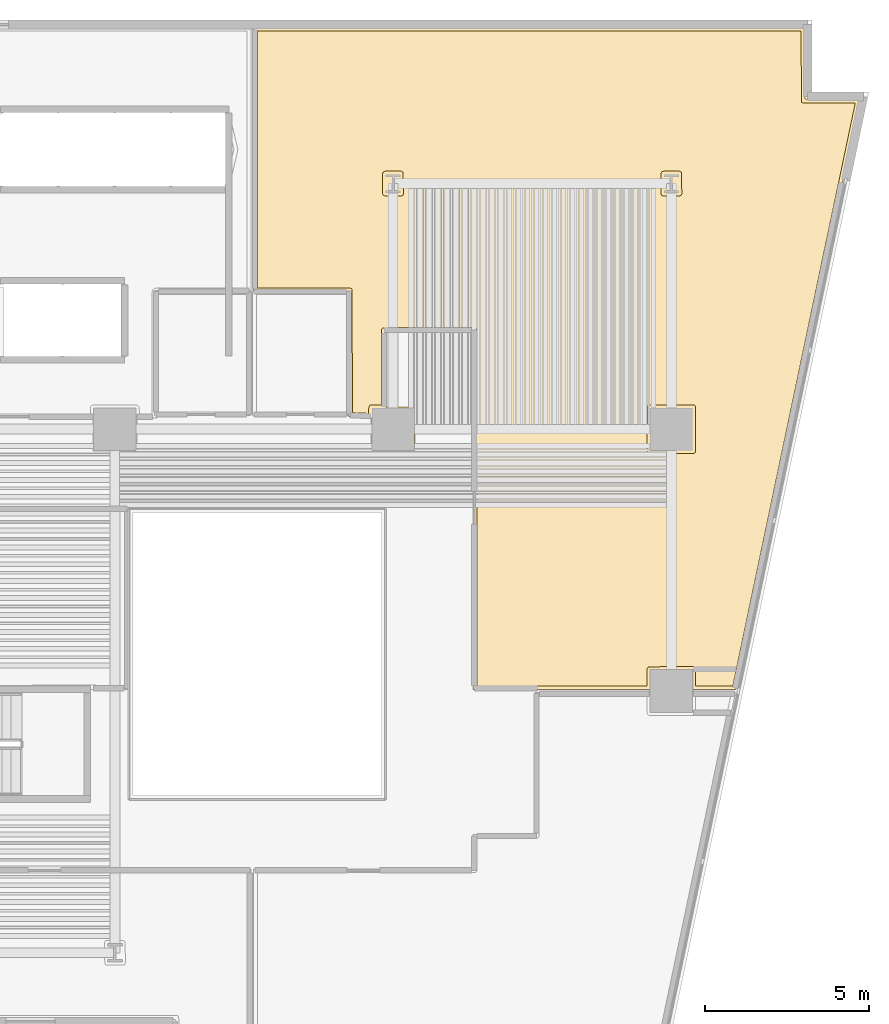
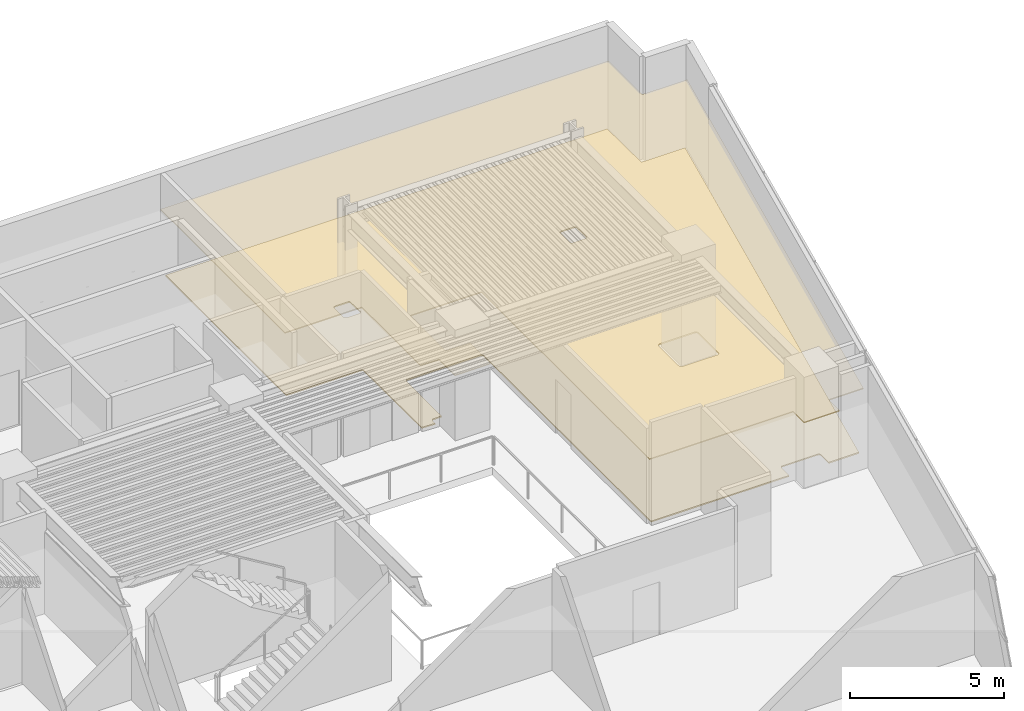
# One storey, part 11 of 11: 2 coverings.
"""IFC4 building model written with IfcOpenShell, lengths in metres."""

import ifcopenshell
import ifcopenshell.guid

model = None  # the IFC model being written
_history = None  # IfcOwnerHistory: only IFC2X3 demands one
_inside = {}  # id of a spatial element -> (the spatial element, [elements in it])
_under = {}  # id of a project, library or spatial element -> (it, [spatial elements below it])
_declared = {}  # id of a project -> (the project, [libraries it declares])
_typed = {}  # id of a type object -> (the type object, [elements of that type])
_made_of = {}  # id of a material, layer set ... -> (it, [elements and type objects made of it])


def new_model(schema):
    """Start an empty IFC model of exactly this schema.

    Asked for "IFC4X3", IfcOpenShell would pick the latest addendum, in which some entities
    have other attributes; the version numbers below select the first issue.
    IFC2X3 requires an IfcOwnerHistory on every rooted entity: one is made here for all.
    """
    global model, _history
    if schema == "IFC4X3":
        model = ifcopenshell.file(schema_version=(4, 3, 0, 0))
    else:
        model = ifcopenshell.file(schema=schema)
    _inside.clear()
    _under.clear()
    _declared.clear()
    _typed.clear()
    _made_of.clear()
    _history = None
    if model.schema == "IFC2X3":
        org = make("IfcOrganization", Name="unknown")
        user = make(
            "IfcPersonAndOrganization",
            ThePerson=make("IfcPerson", FamilyName="unknown"),
            TheOrganization=org,
        )
        app = make(
            "IfcApplication",
            ApplicationDeveloper=org,
            Version="unknown",
            ApplicationFullName="unknown",
            ApplicationIdentifier="unknown",
        )
        _history = make(
            "IfcOwnerHistory",
            OwningUser=user,
            OwningApplication=app,
            ChangeAction="ADDED",
            CreationDate=0,
        )
    return model


def make(cls, **values):
    """One entity of the class cls with the attributes given. An attribute that is None is left unset."""
    return model.create_entity(
        cls, **{name: value for name, value in values.items() if value is not None}
    )


def rooted(cls, **values):
    """An entity with a GlobalId (a new one), such as an element, a storey or a relation."""
    return make(cls, GlobalId=ifcopenshell.guid.new(), OwnerHistory=_history, **values)


def si_unit(unit_type, name, prefix=None):
    """IfcSIUnit, for example si_unit("LENGTHUNIT", "METRE", prefix="MILLI")."""
    return make("IfcSIUnit", UnitType=unit_type, Prefix=prefix, Name=name)


def assignment(units):
    """IfcUnitAssignment: the units of a project."""
    return None if units is None else make("IfcUnitAssignment", Units=units)


def point(xyz):
    """IfcCartesianPoint."""
    return None if xyz is None else make("IfcCartesianPoint", Coordinates=xyz)


def direction(xyz):
    """IfcDirection."""
    return None if xyz is None else make("IfcDirection", DirectionRatios=xyz)


def frame(location, z_axis=None, x_axis=None):
    """IfcAxis2Placement3D, a coordinate frame: its origin and axes. An axis left out is left unset."""
    return make(
        "IfcAxis2Placement3D",
        Location=point(location),
        Axis=direction(z_axis),
        RefDirection=direction(x_axis),
    )


def origin():
    """The frame at (0, 0, 0) with its axes left unset."""
    return frame((0.0, 0.0, 0.0))


def place(relative_to, where):
    """IfcLocalPlacement: puts the frame where relative to a parent placement (None: the world)."""
    return make(
        "IfcLocalPlacement", PlacementRelTo=relative_to, RelativePlacement=where
    )


def context(
    kind, dimensions, precision=None, world=None, true_north=None, identifier=None
):
    """IfcGeometricRepresentationContext, for example the 3D "Model" context."""
    return make(
        "IfcGeometricRepresentationContext",
        ContextIdentifier=identifier,
        ContextType=kind,
        CoordinateSpaceDimension=dimensions,
        Precision=precision,
        WorldCoordinateSystem=world,
        TrueNorth=true_north,
    )


def subcontext(parent, identifier, kind, view, scale=None):
    """IfcGeometricRepresentationSubContext, for example "Body" below "Model"."""
    return make(
        "IfcGeometricRepresentationSubContext",
        ContextIdentifier=identifier,
        ContextType=kind,
        ParentContext=parent,
        TargetScale=scale,
        TargetView=view,
    )


def project(units=None, contexts=None):
    """IfcProject with its units and contexts."""
    return rooted(
        "IfcProject",
        Name="project",
        RepresentationContexts=contexts,
        UnitsInContext=assignment(units),
    )


def spatial(cls, under=None, at=None, **own):
    """A site, building, storey or space (cls), placed at a placement, below another one or the project."""
    s = rooted(cls, ObjectPlacement=at, **own)
    if under is not None:
        _under.setdefault(under.id(), (under, []))[1].append(s)
    return s


def polyline(points):
    """IfcPolyline through the points."""
    return make("IfcPolyline", Points=[point(p) for p in points])


def outline(outer, holes=None, kind="AREA"):
    """IfcArbitraryClosedProfileDef: a profile drawn as a closed curve; with holes, ...WithVoids."""
    if holes is None:
        return make("IfcArbitraryClosedProfileDef", ProfileType=kind, OuterCurve=outer)
    return make(
        "IfcArbitraryProfileDefWithVoids",
        ProfileType=kind,
        OuterCurve=outer,
        InnerCurves=holes,
    )


def extrude(swept, where, along, depth):
    """IfcExtrudedAreaSolid: the profile swept, set in the frame where, extruded along a direction by depth."""
    return make(
        "IfcExtrudedAreaSolid",
        SweptArea=swept,
        Position=where,
        ExtrudedDirection=direction(along),
        Depth=depth,
    )


def shape(context_of_items, identifier, shape_type, items):
    """IfcShapeRepresentation: the items that make up one representation, for example the "Body"."""
    return make(
        "IfcShapeRepresentation",
        ContextOfItems=context_of_items,
        RepresentationIdentifier=identifier,
        RepresentationType=shape_type,
        Items=items,
    )


def material(Name=None, Category=None):
    """IfcMaterial."""
    return make("IfcMaterial", Name=Name, Category=Category)


def layer(
    of_material, thickness, ventilated=None, Name=None, Category=None, Priority=None
):
    """IfcMaterialLayer: one layer of a wall or slab, of a material (None: an air gap)."""
    return make(
        "IfcMaterialLayer",
        Material=of_material,
        LayerThickness=thickness,
        IsVentilated=ventilated,
        Name=Name,
        Category=Category,
        Priority=Priority,
    )


def layer_set(layers, Name=None):
    """IfcMaterialLayerSet."""
    return make("IfcMaterialLayerSet", MaterialLayers=layers, LayerSetName=Name)


def made_of(thing, what):
    """Note that an element or type object is made of a material, layer set ...; save() writes the relation."""
    if what is not None:
        _made_of.setdefault(what.id(), (what, []))[1].append(thing)
    return thing


def type_object(cls, material=None, **own):
    """A type object (cls), such as IfcWallType, which elements share."""
    return made_of(rooted(cls, **own), material)


def element(
    cls,
    number,
    at=None,
    inside=None,
    cuts=None,
    type_object=None,
    material=None,
    context=None,
    identifier="Body",
    shape_type=None,
    held_by="IfcProductDefinitionShape",
    body=None,
    shapes=None,
    **own,
):
    """One element of the class cls, such as IfcWall. Its Tag is "e" and its number.

    at: its placement. inside: the storey or other place that contains it. cuts: it is an
    opening in that element (IfcRelVoidsElement). A single representation is given by context,
    identifier, shape_type and body (its items); several are given by shapes. held_by: the class
    of the entity that holds the representations. save() writes the other relations.
    """
    e = rooted(cls, Tag="e%d" % number, ObjectPlacement=at, **own)
    if body is not None:
        shapes = [shape(context, identifier, shape_type, body)]
    if shapes is not None:
        e.Representation = make(held_by, Representations=shapes)
    if inside is not None:
        _inside.setdefault(inside.id(), (inside, []))[1].append(e)
    if cuts is not None:
        rooted(
            "IfcRelVoidsElement", RelatingBuildingElement=cuts, RelatedOpeningElement=e
        )
    if type_object is not None:
        _typed.setdefault(type_object.id(), (type_object, []))[1].append(e)
    return made_of(e, material)


def aggregate(whole, parts):
    """IfcRelAggregates: a whole, such as a stair, and the parts it consists of."""
    return rooted("IfcRelAggregates", RelatingObject=whole, RelatedObjects=parts)


def save(model, path):
    """Write the relations noted so far, then the file.

    IfcRelAggregates (storeys below a building ...), IfcRelContainedInSpatialStructure (elements
    in a storey), IfcRelDefinesByType, IfcRelAssociatesMaterial and IfcRelDeclares: one each for
    every whole, place, type object, material and project.
    """
    for whole, parts in _under.values():
        aggregate(whole, parts)
    for where, things in _inside.values():
        rooted(
            "IfcRelContainedInSpatialStructure",
            RelatedElements=things,
            RelatingStructure=where,
        )
    for kind, things in _typed.values():
        rooted("IfcRelDefinesByType", RelatedObjects=things, RelatingType=kind)
    for what, things in _made_of.values():
        rooted("IfcRelAssociatesMaterial", RelatedObjects=things, RelatingMaterial=what)
    for by, libraries in _declared.values():
        rooted("IfcRelDeclares", RelatingContext=by, RelatedDefinitions=libraries)
    model.write(path)


model = new_model("IFC4")

# Units and contexts
model_context = context("Model", 3, precision=1e-05, world=origin(), true_north=direction((0.0, 1.0)))
body_context = subcontext(model_context, "Body", "Model", "MODEL_VIEW")
ifc_project = project(units=[si_unit("LENGTHUNIT", "METRE"), si_unit("AREAUNIT", "SQUARE_METRE"), si_unit("VOLUMEUNIT", "CUBIC_METRE"), si_unit("PLANEANGLEUNIT", "RADIAN"), si_unit("MASSUNIT", "GRAM", prefix="KILO")], contexts=[model_context])

# Site, building, storey
site_placement = place(None, origin())
site = spatial("IfcSite", under=ifc_project, at=site_placement, CompositionType="ELEMENT")
building_placement = place(site_placement, origin())
building = spatial("IfcBuilding", under=site, at=building_placement, Name="Caeloran Harvest Quay", CompositionType="ELEMENT")
storey_placement = place(building_placement, frame((0.0, 0.0, 44.60009765625)))
storey = spatial("IfcBuildingStorey", under=building, at=storey_placement, Name="L10", CompositionType="ELEMENT", Elevation=44.60009765625)

# Coverings
ifc_material_1 = material(Name="Perforated Mineral-Fibre Acoustic Ceiling Tile", Category="ceiling")
ifc_layer_1 = layer(ifc_material_1, 0.0400390625, Name="Perforated Mineral-Fibre Acoustic Ceiling Tile")
ifc_layer_set_1 = layer_set([ifc_layer_1], Name="Perforated Mineral-Fibre Acoustic Ceiling Tile")
covering_type_1 = type_object("IfcCoveringType", Name="COV-CEILING-ACOUSTIC", PredefinedType="CEILING", material=ifc_layer_set_1)
covering_1_placement = place(storey_placement, frame((0.0, 0.0, 2.599853515625)))
element("IfcCovering", 1, at=covering_1_placement, inside=storey, type_object=covering_type_1, Name="Agronomy Break Kitchen Acoustic Ceiling", PredefinedType="CEILING", context=body_context, shape_type="SweptSolid", body=[
    extrude(outline(polyline([(50.330078125, 23.0400390625), (44.93994140625, 23.0400390625), (44.93994140625, 33.989990234375), (42.260009765625, 33.989990234375), (42.260009765625, 31.669921875), (43.169921875, 31.669921875), (43.169921875, 30.330078125), (41.830078125, 30.330078125), (41.830078125, 31.3583984375), (41.139892578125, 31.390625), (41.139892578125, 35.18994140625), (38.239990234375, 35.18994140625), (38.239990234375, 43.280029296875), (55.080078125, 43.280029296875), (55.080078125, 41.080078125), (56.766845703125, 41.080078125), (52.97705078125, 23.0400390625), (51.669921875, 23.0400390625), (51.669921875, 22.330078125), (50.330078125, 22.330078125), (50.330078125, 23.0400390625)])), origin(), (0.0, 0.0, 1.0), 0.0400390625),
])
ifc_material_2 = material(Name="Calcium-Sulphate Raised Access Floor and Terrazzo Finish", Category="flooring")
ifc_layer_2 = layer(ifc_material_2, 0.050048828125, Name="Calcium-Sulphate Raised Access Floor and Terrazzo Finish")
ifc_layer_set_2 = layer_set([ifc_layer_2], Name="Calcium-Sulphate Raised Access Floor and Terrazzo Finish")
covering_type_2 = type_object("IfcCoveringType", Name="COV-FLOOR-RAISED", PredefinedType="FLOORING", material=ifc_layer_set_2)
covering_2_placement = place(storey_placement, origin())
element("IfcCovering", 2, at=covering_2_placement, inside=storey, type_object=covering_type_2, Name="Agronomy Break Kitchen Raised Finish Flooring", PredefinedType="FLOORING", context=body_context, shape_type="SweptSolid", body=[
    extrude(outline(polyline([(38.360107421875, 35.31005859375), (38.360107421875, 43.159912109375), (54.9599609375, 43.159912109375), (54.978271484375, 40.9892578125), (55.0400390625, 40.9599609375), (56.618896484375, 40.9599609375), (52.879638671875, 23.159912109375), (51.7451171875, 23.159912109375), (51.74462890625, 23.6728515625), (51.7158203125, 23.726806640625), (51.6650390625, 23.7451171875), (50.304443359375, 23.739013671875), (50.25537109375, 23.6728515625), (50.2548828125, 23.159912109375), (45.06005859375, 23.159912109375), (45.050537109375, 34.067626953125), (44.97998046875, 34.110107421875), (42.175537109375, 34.096435546875), (42.139892578125, 34.030029296875), (42.139892578125, 31.7451171875), (41.79052734375, 31.7314453125), (41.75537109375, 31.6728515625), (41.7548828125, 31.48193359375), (41.260009765625, 31.505126953125), (41.24169921875, 35.28076171875), (41.179931640625, 35.31005859375), (38.360107421875, 35.31005859375)]), holes=[polyline([(51.7451171875, 31.6650390625), (51.7216796875, 31.7216796875), (51.6650390625, 31.7451171875), (50.3349609375, 31.7451171875), (50.2783203125, 31.7216796875), (50.2548828125, 31.6650390625), (50.2548828125, 30.3349609375), (50.2783203125, 30.2783203125), (50.3349609375, 30.2548828125), (51.6650390625, 30.2548828125), (51.7216796875, 30.2783203125), (51.7451171875, 30.3349609375), (51.7451171875, 31.6650390625)]), polyline([(51.322021484375, 38.200439453125), (51.3037109375, 38.850341796875), (51.249755859375, 38.879150390625), (50.758056640625, 38.87939453125), (50.701416015625, 38.856201171875), (50.677978515625, 38.799560546875), (50.677978515625, 38.200439453125), (50.701416015625, 38.143798828125), (50.758056640625, 38.12060546875), (51.241943359375, 38.12060546875), (51.298583984375, 38.143798828125), (51.322021484375, 38.200439453125)]), polyline([(42.822021484375, 38.200439453125), (42.8037109375, 38.850341796875), (42.749755859375, 38.879150390625), (42.258056640625, 38.87939453125), (42.201416015625, 38.856201171875), (42.177978515625, 38.799560546875), (42.177978515625, 38.200439453125), (42.201416015625, 38.143798828125), (42.258056640625, 38.12060546875), (42.741943359375, 38.12060546875), (42.798583984375, 38.143798828125), (42.822021484375, 38.200439453125)])]), origin(), (0.0, 0.0, 1.0), 0.0498046875),
])

save(model, "model.ifc")
